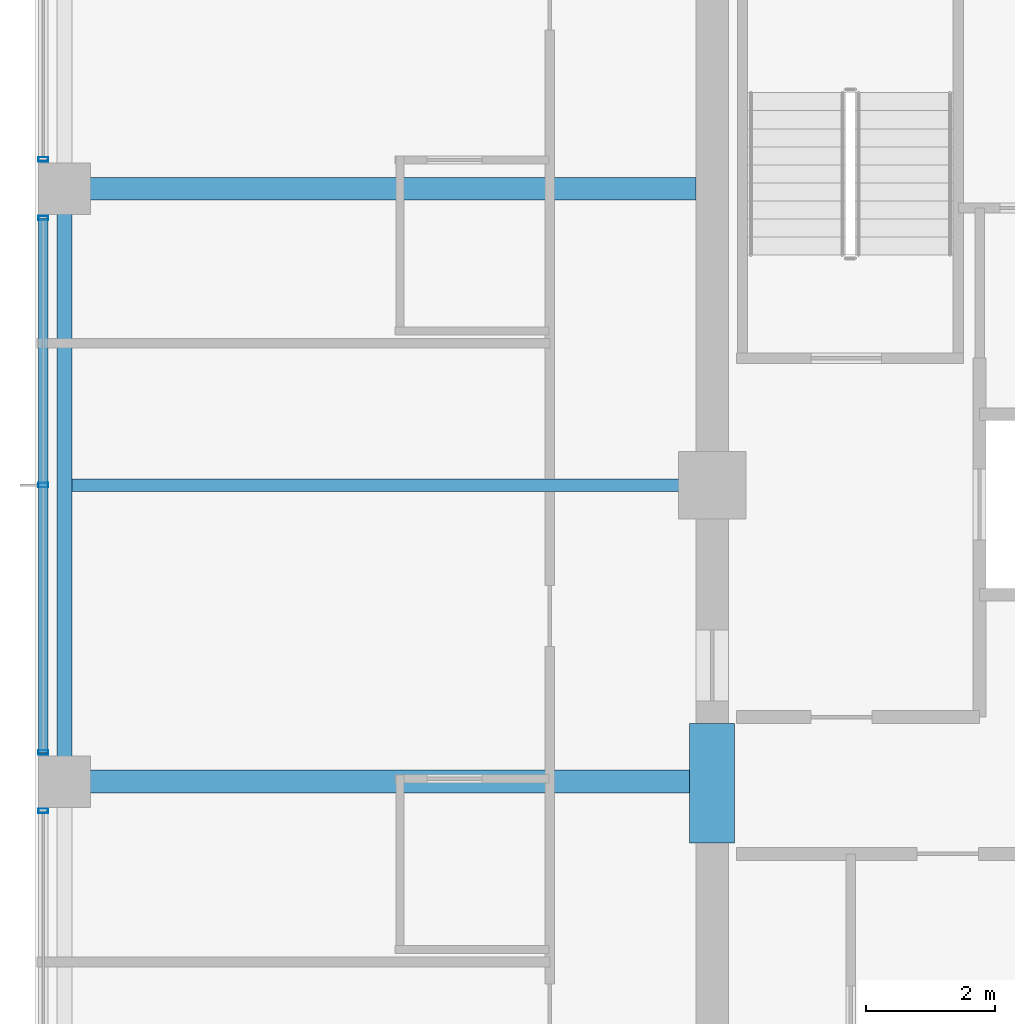
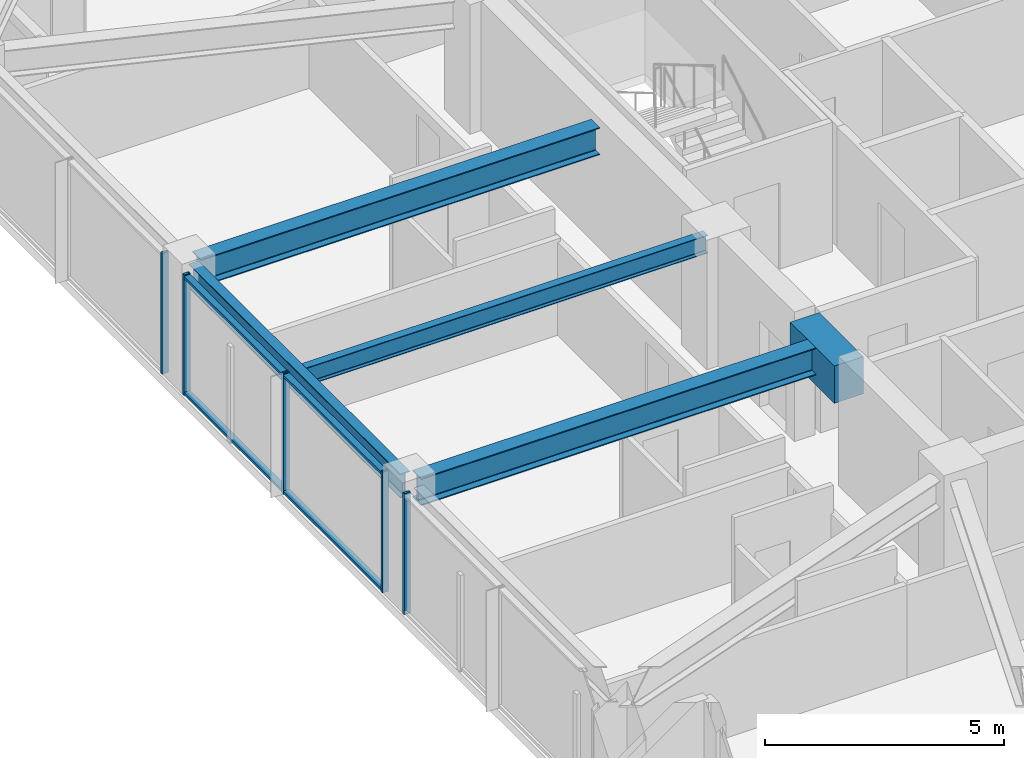
# One storey, part 9 of 36: 7 members, 5 beams, 3 elements without a shape of their own.
"""IFC4 building model written with IfcOpenShell, lengths in metres."""

import ifcopenshell
import ifcopenshell.guid

model = None  # the IFC model being written
_history = None  # IfcOwnerHistory: only IFC2X3 demands one
_inside = {}  # id of a spatial element -> (the spatial element, [elements in it])
_under = {}  # id of a project, library or spatial element -> (it, [spatial elements below it])
_declared = {}  # id of a project -> (the project, [libraries it declares])
_typed = {}  # id of a type object -> (the type object, [elements of that type])
_made_of = {}  # id of a material, layer set ... -> (it, [elements and type objects made of it])


def new_model(schema):
    """Start an empty IFC model of exactly this schema.

    Asked for "IFC4X3", IfcOpenShell would pick the latest addendum, in which some entities
    have other attributes; the version numbers below select the first issue.
    IFC2X3 requires an IfcOwnerHistory on every rooted entity: one is made here for all.
    """
    global model, _history
    if schema == "IFC4X3":
        model = ifcopenshell.file(schema_version=(4, 3, 0, 0))
    else:
        model = ifcopenshell.file(schema=schema)
    _inside.clear()
    _under.clear()
    _declared.clear()
    _typed.clear()
    _made_of.clear()
    _history = None
    if model.schema == "IFC2X3":
        org = make("IfcOrganization", Name="unknown")
        user = make(
            "IfcPersonAndOrganization",
            ThePerson=make("IfcPerson", FamilyName="unknown"),
            TheOrganization=org,
        )
        app = make(
            "IfcApplication",
            ApplicationDeveloper=org,
            Version="unknown",
            ApplicationFullName="unknown",
            ApplicationIdentifier="unknown",
        )
        _history = make(
            "IfcOwnerHistory",
            OwningUser=user,
            OwningApplication=app,
            ChangeAction="ADDED",
            CreationDate=0,
        )
    return model


def make(cls, **values):
    """One entity of the class cls with the attributes given. An attribute that is None is left unset."""
    return model.create_entity(
        cls, **{name: value for name, value in values.items() if value is not None}
    )


def rooted(cls, **values):
    """An entity with a GlobalId (a new one), such as an element, a storey or a relation."""
    return make(cls, GlobalId=ifcopenshell.guid.new(), OwnerHistory=_history, **values)


def si_unit(unit_type, name, prefix=None):
    """IfcSIUnit, for example si_unit("LENGTHUNIT", "METRE", prefix="MILLI")."""
    return make("IfcSIUnit", UnitType=unit_type, Prefix=prefix, Name=name)


def assignment(units):
    """IfcUnitAssignment: the units of a project."""
    return None if units is None else make("IfcUnitAssignment", Units=units)


def point(xyz):
    """IfcCartesianPoint."""
    return None if xyz is None else make("IfcCartesianPoint", Coordinates=xyz)


def direction(xyz):
    """IfcDirection."""
    return None if xyz is None else make("IfcDirection", DirectionRatios=xyz)


def frame(location, z_axis=None, x_axis=None):
    """IfcAxis2Placement3D, a coordinate frame: its origin and axes. An axis left out is left unset."""
    return make(
        "IfcAxis2Placement3D",
        Location=point(location),
        Axis=direction(z_axis),
        RefDirection=direction(x_axis),
    )


def frame_2d(location, x_axis=None):
    """IfcAxis2Placement2D, a coordinate frame in the plane: its origin and x axis."""
    return make(
        "IfcAxis2Placement2D", Location=point(location), RefDirection=direction(x_axis)
    )


def origin():
    """The frame at (0, 0, 0) with its axes left unset."""
    return frame((0.0, 0.0, 0.0))


def origin_2d():
    """The frame at (0, 0) in the plane with its x axis left unset."""
    return frame_2d((0.0, 0.0))


def place(relative_to, where):
    """IfcLocalPlacement: puts the frame where relative to a parent placement (None: the world)."""
    return make(
        "IfcLocalPlacement", PlacementRelTo=relative_to, RelativePlacement=where
    )


def context(
    kind, dimensions, precision=None, world=None, true_north=None, identifier=None
):
    """IfcGeometricRepresentationContext, for example the 3D "Model" context."""
    return make(
        "IfcGeometricRepresentationContext",
        ContextIdentifier=identifier,
        ContextType=kind,
        CoordinateSpaceDimension=dimensions,
        Precision=precision,
        WorldCoordinateSystem=world,
        TrueNorth=true_north,
    )


def subcontext(parent, identifier, kind, view, scale=None):
    """IfcGeometricRepresentationSubContext, for example "Body" below "Model"."""
    return make(
        "IfcGeometricRepresentationSubContext",
        ContextIdentifier=identifier,
        ContextType=kind,
        ParentContext=parent,
        TargetScale=scale,
        TargetView=view,
    )


def project(units=None, contexts=None):
    """IfcProject with its units and contexts."""
    return rooted(
        "IfcProject",
        Name="project",
        RepresentationContexts=contexts,
        UnitsInContext=assignment(units),
    )


def spatial(cls, under=None, at=None, **own):
    """A site, building, storey or space (cls), placed at a placement, below another one or the project."""
    s = rooted(cls, ObjectPlacement=at, **own)
    if under is not None:
        _under.setdefault(under.id(), (under, []))[1].append(s)
    return s


def profile(cls, at=None, kind="AREA", **sizes):
    """A parametric profile (cls). Its sizes go by their IFC names, for example OverallWidth=200.0."""
    return make(cls, ProfileType=kind, Position=at, **sizes)


def rectangle(**sizes):
    """IfcRectangleProfileDef."""
    return profile("IfcRectangleProfileDef", **sizes)


def hollow_rectangle(**sizes):
    """IfcRectangleHollowProfileDef."""
    return profile("IfcRectangleHollowProfileDef", **sizes)


def i_section(**sizes):
    """IfcIShapeProfileDef."""
    return profile("IfcIShapeProfileDef", **sizes)


def extrude(swept, where, along, depth):
    """IfcExtrudedAreaSolid: the profile swept, set in the frame where, extruded along a direction by depth."""
    return make(
        "IfcExtrudedAreaSolid",
        SweptArea=swept,
        Position=where,
        ExtrudedDirection=direction(along),
        Depth=depth,
    )


def shape(context_of_items, identifier, shape_type, items):
    """IfcShapeRepresentation: the items that make up one representation, for example the "Body"."""
    return make(
        "IfcShapeRepresentation",
        ContextOfItems=context_of_items,
        RepresentationIdentifier=identifier,
        RepresentationType=shape_type,
        Items=items,
    )


def material(Name=None, Category=None):
    """IfcMaterial."""
    return make("IfcMaterial", Name=Name, Category=Category)


def material_profile(
    of_material, cross_section, Name=None, Category=None, Priority=None
):
    """IfcMaterialProfile: a cross section and its material."""
    return make(
        "IfcMaterialProfile",
        Name=Name,
        Material=of_material,
        Profile=cross_section,
        Priority=Priority,
        Category=Category,
    )


def profile_set(profiles, Name=None, composite=None):
    """IfcMaterialProfileSet."""
    return make(
        "IfcMaterialProfileSet",
        Name=Name,
        MaterialProfiles=profiles,
        CompositeProfile=composite,
    )


def made_of(thing, what):
    """Note that an element or type object is made of a material, layer set ...; save() writes the relation."""
    if what is not None:
        _made_of.setdefault(what.id(), (what, []))[1].append(thing)
    return thing


def type_object(cls, material=None, **own):
    """A type object (cls), such as IfcWallType, which elements share."""
    return made_of(rooted(cls, **own), material)


def element(
    cls,
    number,
    at=None,
    inside=None,
    cuts=None,
    type_object=None,
    material=None,
    context=None,
    identifier="Body",
    shape_type=None,
    held_by="IfcProductDefinitionShape",
    body=None,
    shapes=None,
    **own,
):
    """One element of the class cls, such as IfcWall. Its Tag is "e" and its number.

    at: its placement. inside: the storey or other place that contains it. cuts: it is an
    opening in that element (IfcRelVoidsElement). A single representation is given by context,
    identifier, shape_type and body (its items); several are given by shapes. held_by: the class
    of the entity that holds the representations. save() writes the other relations.
    """
    e = rooted(cls, Tag="e%d" % number, ObjectPlacement=at, **own)
    if body is not None:
        shapes = [shape(context, identifier, shape_type, body)]
    if shapes is not None:
        e.Representation = make(held_by, Representations=shapes)
    if inside is not None:
        _inside.setdefault(inside.id(), (inside, []))[1].append(e)
    if cuts is not None:
        rooted(
            "IfcRelVoidsElement", RelatingBuildingElement=cuts, RelatedOpeningElement=e
        )
    if type_object is not None:
        _typed.setdefault(type_object.id(), (type_object, []))[1].append(e)
    return made_of(e, material)


def aggregate(whole, parts):
    """IfcRelAggregates: a whole, such as a stair, and the parts it consists of."""
    return rooted("IfcRelAggregates", RelatingObject=whole, RelatedObjects=parts)


def save(model, path):
    """Write the relations noted so far, then the file.

    IfcRelAggregates (storeys below a building ...), IfcRelContainedInSpatialStructure (elements
    in a storey), IfcRelDefinesByType, IfcRelAssociatesMaterial and IfcRelDeclares: one each for
    every whole, place, type object, material and project.
    """
    for whole, parts in _under.values():
        aggregate(whole, parts)
    for where, things in _inside.values():
        rooted(
            "IfcRelContainedInSpatialStructure",
            RelatedElements=things,
            RelatingStructure=where,
        )
    for kind, things in _typed.values():
        rooted("IfcRelDefinesByType", RelatedObjects=things, RelatingType=kind)
    for what, things in _made_of.values():
        rooted("IfcRelAssociatesMaterial", RelatedObjects=things, RelatingMaterial=what)
    for by, libraries in _declared.values():
        rooted("IfcRelDeclares", RelatingContext=by, RelatedDefinitions=libraries)
    model.write(path)


model = new_model("IFC4")

# Units and contexts
model_context = context("Model", 3, precision=1e-05, world=origin(), true_north=direction((0.0, 1.0)))
body_context = subcontext(model_context, "Body", "Model", "MODEL_VIEW")
ifc_project = project(units=[si_unit("LENGTHUNIT", "METRE"), si_unit("AREAUNIT", "SQUARE_METRE"), si_unit("VOLUMEUNIT", "CUBIC_METRE"), si_unit("PLANEANGLEUNIT", "RADIAN"), si_unit("MASSUNIT", "GRAM", prefix="KILO")], contexts=[model_context])

# Site, building, storey
site_placement = place(None, origin())
site = spatial("IfcSite", under=ifc_project, at=site_placement, CompositionType="ELEMENT")
building_placement = place(site_placement, origin())
building = spatial("IfcBuilding", under=site, at=building_placement, Name="Kolvaren Belvedere", CompositionType="ELEMENT")
storey_placement = place(building_placement, frame((0.0, 0.0, 196.5)))
storey = spatial("IfcBuildingStorey", under=building, at=storey_placement, Name="L57", CompositionType="ELEMENT", Elevation=196.5)

# Beams
ifc_material_1 = material(Name="Structural steel ASTM A992 Grade 50", Category="steel")
ifc_material_profile_1 = material_profile(ifc_material_1, i_section(OverallWidth=0.35498046875, OverallDepth=0.696044921875, WebThickness=0.015380859375, FlangeThickness=0.02490234375, FilletRadius=0.02197265625, at=origin_2d()), Name="W27X146")
ifc_profile_set_1 = profile_set([ifc_material_profile_1], Name="Structural steel ASTM A992 Grade 50")
beam_type_1 = type_object("IfcBeamType", Name="BM-GIRD-W27X146", PredefinedType="BEAM", material=ifc_profile_set_1)
for number, where, z_axis, x_axis, name in (
    (1, (-10.14990234375, 4.60009765625, 2.73193359375), (-1.0, 0.0, 0.0), (0.0, -1.0, 0.0), "L57 West Radial Girder P"),
    (2, (-10.14990234375, -4.60009765625, 2.73193359375), (-1.0, 0.0, 0.0), (0.0, -1.0, 0.0), "L57 West Radial Girder M"),
):
    element("IfcBeam", number, at=place(storey_placement, frame(where, z_axis=z_axis, x_axis=x_axis)), inside=storey, type_object=beam_type_1, Name=name, PredefinedType="BEAM", context=body_context, shape_type="SweptSolid", body=[
        extrude(i_section(OverallWidth=0.35498046875, OverallDepth=0.696044921875, WebThickness=0.015380859375, FlangeThickness=0.02490234375, FilletRadius=0.02197265625, at=origin_2d()), origin(), (0.0, 0.0, 1.0), 9.6201171875),
    ])
ifc_material_2 = material(Name="Structural steel ASTM A992 Grade 50", Category="steel")
ifc_material_profile_2 = material_profile(ifc_material_2, i_section(OverallWidth=0.19091796875, OverallDepth=0.4599609375, WebThickness=0.010009765625, FlangeThickness=0.01611328125, FilletRadius=0.014892578125, at=origin_2d()), Name="W18X55")
ifc_profile_set_2 = profile_set([ifc_material_profile_2], Name="Structural steel ASTM A992 Grade 50")
beam_type_2 = type_object("IfcBeamType", Name="BM-JOIST-W18X55", PredefinedType="BEAM", material=ifc_profile_set_2)
beam_1_placement = place(storey_placement, frame((-10.14990234375, 0.0, 2.85009765625), z_axis=(-1.0, 0.0, 0.0), x_axis=(0.0, -1.0, 0.0)))
element("IfcBeam", 3, at=beam_1_placement, inside=storey, type_object=beam_type_2, Name="L57 West Centre Floor Beam", PredefinedType="BEAM", context=body_context, shape_type="SweptSolid", body=[
    extrude(i_section(OverallWidth=0.19091796875, OverallDepth=0.4599609375, WebThickness=0.010009765625, FlangeThickness=0.01611328125, FilletRadius=0.014892578125, at=origin_2d()), origin(), (0.0, 0.0, 1.0), 9.685546875),
])
ifc_material_3 = material(Name="Concrete C60/75", Category="concrete")
ifc_material_profile_3 = material_profile(ifc_material_3, rectangle(XDim=0.699951171875, YDim=0.949951171875, at=origin_2d()), Name="RC 700X950")
ifc_profile_set_3 = profile_set([ifc_material_profile_3], Name="Concrete C60/75")
beam_type_3 = type_object("IfcBeamType", Name="BM-LINT-950", PredefinedType="LINTEL", material=ifc_profile_set_3)
beam_2_placement = place(storey_placement, frame((-9.89990234375, -5.550048828125, 2.60498046875), z_axis=(0.0, 1.0, 0.0), x_axis=(-1.0, 0.0, 0.0)))
element("IfcBeam", 4, at=beam_2_placement, inside=storey, type_object=beam_type_3, Name="L57 West Core Coupling Lintel", PredefinedType="LINTEL", context=body_context, shape_type="SweptSolid", body=[
    extrude(rectangle(XDim=0.699951171875, YDim=0.949951171875, at=origin_2d()), origin(), (0.0, 0.0, 1.0), 1.85009765625),
])
ifc_material_4 = material(Name="Structural steel ASTM A992 Grade 50", Category="steel")
ifc_material_profile_4 = material_profile(ifc_material_4, i_section(OverallWidth=0.22900390625, OverallDepth=0.612060546875, WebThickness=0.011962890625, FlangeThickness=0.01953125, FilletRadius=0.01806640625, at=origin_2d()), Name="W24X84")
ifc_profile_set_4 = profile_set([ifc_material_profile_4], Name="Structural steel ASTM A992 Grade 50")
beam_type_4 = type_object("IfcBeamType", Name="BM-SPAN-W24X84", PredefinedType="SPANDREL", material=ifc_profile_set_4)
beam_3_placement = place(storey_placement, frame((-19.949951171875, 4.419921875, 2.77392578125), z_axis=(0.0, -1.0, 0.0), x_axis=(1.0, 0.0, 0.0)))
element("IfcBeam", 5, at=beam_3_placement, inside=storey, type_object=beam_type_4, Name="L57 Perimeter Spandrel W3-W2", PredefinedType="SPANDREL", context=body_context, shape_type="SweptSolid", body=[
    extrude(i_section(OverallWidth=0.22900390625, OverallDepth=0.612060546875, WebThickness=0.011962890625, FlangeThickness=0.01953125, FilletRadius=0.01806640625, at=origin_2d()), origin(), (0.0, 0.0, 1.0), 8.83984375),
])

# Curtain wall, member
ifc_material_5 = material(Name="Anodised pale-metal aluminium AA 6063-T6", Category="aluminium")
curtain_wall_type = type_object("IfcCurtainWallType", Name="CW-Z5-HIGH", PredefinedType="NOTDEFINED", material=ifc_material_5)
curtain_wall_1_placement = place(storey_placement, origin())
curtain_wall_1 = element("IfcCurtainWall", 6, at=curtain_wall_1_placement, inside=storey, type_object=curtain_wall_type, Name="L57 Unitised Curtain Wall FCW-L57-W-B1", PredefinedType="NOTDEFINED")
ifc_material_6 = material(Name="Anodised pale-metal aluminium AA 6063-T6", Category="aluminium")
ifc_material_profile_5 = material_profile(ifc_material_6, hollow_rectangle(XDim=0.070068359375, YDim=0.14990234375, WallThickness=0.004150390625, at=origin_2d()), Name="ALU-MUL-150X70")
ifc_profile_set_5 = profile_set([ifc_material_profile_5], Name="Anodised pale-metal aluminium AA 6063-T6")
member_type_1 = type_object("IfcMemberType", Name="CW-MUL-150", PredefinedType="MULLION", material=ifc_profile_set_5)
member_1_placement = place(storey_placement, frame((-20.280029296875, -5.054931640625, 0.0), z_axis=(0.0, 0.0, 1.0), x_axis=(0.0, 1.0, 0.0)))
member_1 = element("IfcMember", 7, at=member_1_placement, type_object=member_type_1, Name="FCW-L57-W-B1 Unitised Mullion 3", PredefinedType="MULLION", context=body_context, shape_type="SweptSolid", body=[
    extrude(hollow_rectangle(XDim=0.070068359375, YDim=0.14990234375, WallThickness=0.004150390625, at=origin_2d()), origin(), (0.0, 0.0, 1.0), 3.080078125),
])
aggregate(curtain_wall_1, [member_1])

# Curtain wall, members
curtain_wall_2_placement = place(storey_placement, origin())
curtain_wall_2 = element("IfcCurtainWall", 8, at=curtain_wall_2_placement, inside=storey, type_object=curtain_wall_type, Name="L57 Unitised Curtain Wall FCW-L57-W-B2", PredefinedType="NOTDEFINED")
member_2_placement = place(storey_placement, frame((-20.280029296875, -4.14501953125, 0.0), z_axis=(0.0, 0.0, 1.0), x_axis=(0.0, 1.0, 0.0)))
member_2 = element("IfcMember", 9, at=member_2_placement, type_object=member_type_1, Name="FCW-L57-W-B2 Unitised Mullion 1", PredefinedType="MULLION", context=body_context, shape_type="SweptSolid", body=[
    extrude(hollow_rectangle(XDim=0.070068359375, YDim=0.14990234375, WallThickness=0.004150390625, at=origin_2d()), origin(), (0.0, 0.0, 1.0), 3.080078125),
])
member_3_placement = place(storey_placement, frame((-20.280029296875, 0.0, 0.0), z_axis=(0.0, 0.0, 1.0), x_axis=(0.0, 1.0, 0.0)))
member_3 = element("IfcMember", 10, at=member_3_placement, type_object=member_type_1, Name="FCW-L57-W-B2 Unitised Mullion 2", PredefinedType="MULLION", context=body_context, shape_type="SweptSolid", body=[
    extrude(hollow_rectangle(XDim=0.070068359375, YDim=0.14990234375, WallThickness=0.004150390625, at=origin_2d()), origin(), (0.0, 0.0, 1.0), 3.080078125),
])
member_4_placement = place(storey_placement, frame((-20.280029296875, 4.14501953125, 0.0), z_axis=(0.0, 0.0, 1.0), x_axis=(0.0, 1.0, 0.0)))
member_4 = element("IfcMember", 11, at=member_4_placement, type_object=member_type_1, Name="FCW-L57-W-B2 Unitised Mullion 3", PredefinedType="MULLION", context=body_context, shape_type="SweptSolid", body=[
    extrude(hollow_rectangle(XDim=0.070068359375, YDim=0.14990234375, WallThickness=0.004150390625, at=origin_2d()), origin(), (0.0, 0.0, 1.0), 3.080078125),
])

# Curtain wall, member
curtain_wall_3_placement = place(storey_placement, origin())
curtain_wall_3 = element("IfcCurtainWall", 12, at=curtain_wall_3_placement, inside=storey, type_object=curtain_wall_type, Name="L57 Unitised Curtain Wall FCW-L57-W-B3", PredefinedType="NOTDEFINED")
member_5_placement = place(storey_placement, frame((-20.280029296875, 5.054931640625, 0.0), z_axis=(0.0, 0.0, 1.0), x_axis=(0.0, 1.0, 0.0)))
member_5 = element("IfcMember", 13, at=member_5_placement, type_object=member_type_1, Name="FCW-L57-W-B3 Unitised Mullion 1", PredefinedType="MULLION", context=body_context, shape_type="SweptSolid", body=[
    extrude(hollow_rectangle(XDim=0.070068359375, YDim=0.14990234375, WallThickness=0.004150390625, at=origin_2d()), origin(), (0.0, 0.0, 1.0), 3.080078125),
])
aggregate(curtain_wall_3, [member_5])

# Member
ifc_material_7 = material(Name="Anodised pale-metal aluminium AA 6063-T6", Category="aluminium")
ifc_material_profile_6 = material_profile(ifc_material_7, hollow_rectangle(XDim=0.06494140625, YDim=0.14990234375, WallThickness=0.00390625, at=origin_2d()), Name="ALU-TRN-150X65")
ifc_profile_set_6 = profile_set([ifc_material_profile_6], Name="Anodised pale-metal aluminium AA 6063-T6")
member_type_2 = type_object("IfcMemberType", Name="CW-TRN-150", PredefinedType="USERDEFINED", material=ifc_profile_set_6)
member_6_placement = place(storey_placement, frame((-20.280029296875, -4.14501953125, 0.06005859375), z_axis=(0.0, 1.0, 0.0), x_axis=(0.0, 0.0, 1.0)))
member_6 = element("IfcMember", 14, at=member_6_placement, type_object=member_type_2, Name="FCW-L57-W-B2 Sill Transom", ObjectType="TRANSOM", PredefinedType="USERDEFINED", context=body_context, shape_type="SweptSolid", body=[
    extrude(hollow_rectangle(XDim=0.06494140625, YDim=0.14990234375, WallThickness=0.00390625, at=origin_2d()), origin(), (0.0, 0.0, 1.0), 8.2900390625),
])

member_7_placement = place(storey_placement, frame((-20.280029296875, -4.14501953125, 3.02001953125), z_axis=(0.0, 1.0, 0.0), x_axis=(0.0, 0.0, 1.0)))
member_7 = element("IfcMember", 15, at=member_7_placement, type_object=member_type_2, Name="FCW-L57-W-B2 Head Transom", ObjectType="TRANSOM", PredefinedType="USERDEFINED", context=body_context, shape_type="SweptSolid", body=[
    extrude(hollow_rectangle(XDim=0.06494140625, YDim=0.14990234375, WallThickness=0.00390625, at=origin_2d()), origin(), (0.0, 0.0, 1.0), 8.2900390625),
])

aggregate(curtain_wall_2, [member_2, member_3, member_4, member_6, member_7])

save(model, "model.ifc")
